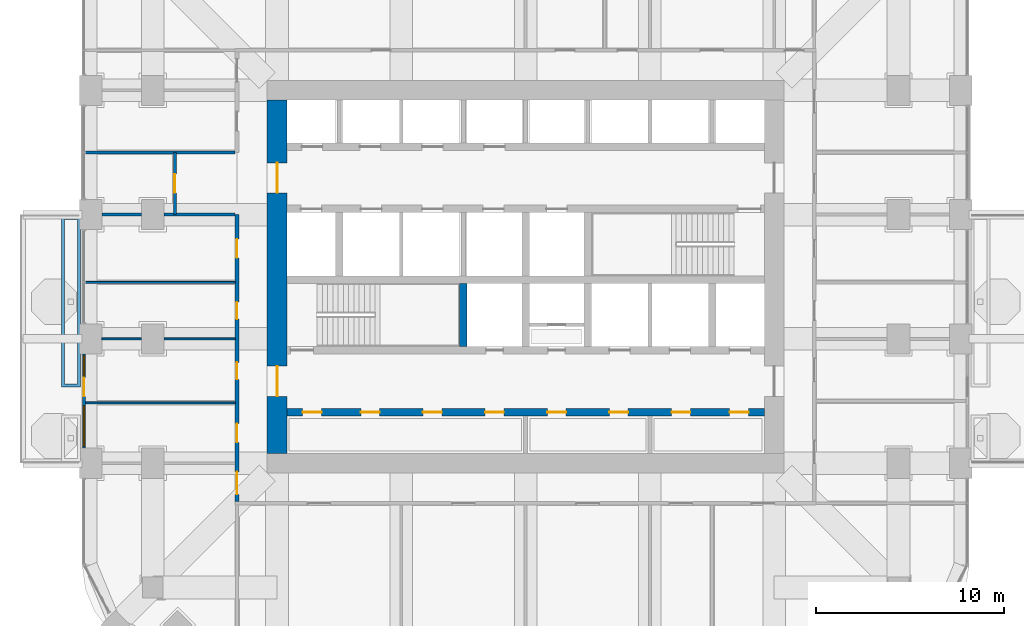
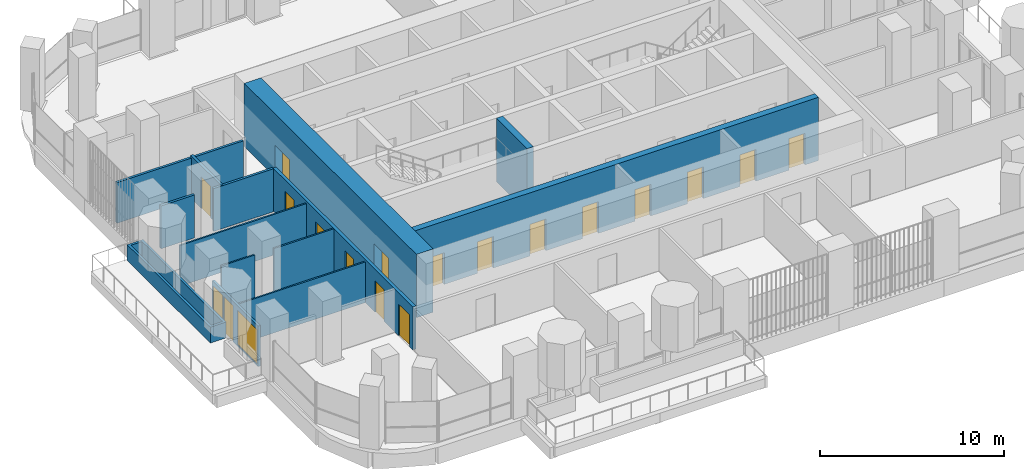
# One storey, part 12 of 20: 17 doors, 14 walls, 2 windows, 19 openings.
"""IFC4 building model written with IfcOpenShell, lengths in metres."""

from ifc_helpers import new_model, si_unit, direction, frame, frame_2d, origin, place, context, subcontext, project, spatial, polyline, rectangle, outline, extrude, material, layer, layer_set, type_object, element, fill, save


model = new_model("IFC4")

# Units and contexts
model_context = context("Model", 3, precision=1e-05, world=origin(), true_north=direction((0.0, 1.0)))
body_context = subcontext(model_context, "Body", "Model", "MODEL_VIEW")
ifc_project = project(units=[si_unit("LENGTHUNIT", "METRE"), si_unit("AREAUNIT", "SQUARE_METRE"), si_unit("VOLUMEUNIT", "CUBIC_METRE"), si_unit("PLANEANGLEUNIT", "RADIAN"), si_unit("MASSUNIT", "GRAM", prefix="KILO")], contexts=[model_context])

# Site, building, storey
site_placement = place(None, origin())
site = spatial("IfcSite", under=ifc_project, at=site_placement, CompositionType="ELEMENT")
building_placement = place(site_placement, origin())
building = spatial("IfcBuilding", under=site, at=building_placement, Name="Cobogo Forest Laboratory Tower", CompositionType="ELEMENT")
storey_placement = place(building_placement, frame((0.0, 0.0, 185.10009765625)))
storey = spatial("IfcBuildingStorey", under=building, at=storey_placement, Name="L42", CompositionType="ELEMENT", Elevation=185.10009765625)

# Wall, openings, doors
ifc_material_1 = material(Name="Concrete HA-50 (C50/60)", Category="concrete")
ifc_layer_1 = layer(ifc_material_1, 0.39990234375)
ifc_layer_set_1 = layer_set([ifc_layer_1], Name="CI400 core inner wall 400")
wall_type_1 = type_object("IfcWallType", Name="CI400 core inner wall 400", PredefinedType="SHEAR", material=ifc_layer_set_1)
wall_1_placement = place(storey_placement, frame((13.72509765625, 15.89990234375, 0.0), z_axis=(0.0, 0.0, 1.0), x_axis=(1.0, 0.0, 0.0)))
wall_1 = element("IfcWall", 1, at=wall_1_placement, inside=storey, type_object=wall_type_1, Name="Core wall CI-15.9 L42", PredefinedType="SHEAR", context=body_context, shape_type="SweptSolid", body=[
    extrude(rectangle(XDim=25.349853515625, YDim=0.39990234375, at=frame_2d((12.6748046875, 0.0))), origin(), (0.0, 0.0, 1.0), 4.199951171875),
])
opening_1_placement = place(wall_1_placement, frame((0.83740234375, 0.0, 0.0)))
opening_1 = element("IfcOpeningElement", 2, at=opening_1_placement, cuts=wall_1, Name="Opening L42-D10", PredefinedType="OPENING", context=body_context, shape_type="SweptSolid", body=[
    extrude(rectangle(XDim=1.0, YDim=2.10009765625, at=frame_2d((0.5, 1.050048828125))), frame((0.0, 0.2099609375, 0.0), z_axis=(0.0, -1.0, 0.0), x_axis=(1.0, 0.0, 0.0)), (0.0, 0.0, 1.0), 0.419921875),
])
opening_2_placement = place(wall_1_placement, frame((3.925048828125, 0.0, 0.0)))
opening_2 = element("IfcOpeningElement", 3, at=opening_2_placement, cuts=wall_1, Name="Opening L42-D11", PredefinedType="OPENING", context=body_context, shape_type="SweptSolid", body=[
    extrude(rectangle(XDim=1.0, YDim=2.10009765625, at=frame_2d((0.5, 1.050048828125))), frame((0.0, 0.2099609375, 0.0), z_axis=(0.0, -1.0, 0.0), x_axis=(1.0, 0.0, 0.0)), (0.0, 0.0, 1.0), 0.419921875),
])
opening_3_placement = place(wall_1_placement, frame((7.22509765625, 0.0, 0.0)))
opening_3 = element("IfcOpeningElement", 4, at=opening_3_placement, cuts=wall_1, Name="Opening L42-D12", PredefinedType="OPENING", context=body_context, shape_type="SweptSolid", body=[
    extrude(rectangle(XDim=1.0, YDim=2.10009765625, at=frame_2d((0.5, 1.050048828125))), frame((0.0, 0.2099609375, 0.0), z_axis=(0.0, -1.0, 0.0), x_axis=(1.0, 0.0, 0.0)), (0.0, 0.0, 1.0), 0.419921875),
])
opening_4_placement = place(wall_1_placement, frame((10.52490234375, 0.0, 0.0)))
opening_4 = element("IfcOpeningElement", 5, at=opening_4_placement, cuts=wall_1, Name="Opening L42-D13", PredefinedType="OPENING", context=body_context, shape_type="SweptSolid", body=[
    extrude(rectangle(XDim=1.0, YDim=2.10009765625, at=frame_2d((0.5, 1.050048828125))), frame((0.0, 0.2099609375, 0.0), z_axis=(0.0, -1.0, 0.0), x_axis=(1.0, 0.0, 0.0)), (0.0, 0.0, 1.0), 0.419921875),
])
opening_5_placement = place(wall_1_placement, frame((13.824951171875, 0.0, 0.0)))
opening_5 = element("IfcOpeningElement", 6, at=opening_5_placement, cuts=wall_1, Name="Opening L42-D14", PredefinedType="OPENING", context=body_context, shape_type="SweptSolid", body=[
    extrude(rectangle(XDim=1.0, YDim=2.10009765625, at=frame_2d((0.5, 1.050048828125))), frame((0.0, 0.2099609375, 0.0), z_axis=(0.0, -1.0, 0.0), x_axis=(1.0, 0.0, 0.0)), (0.0, 0.0, 1.0), 0.419921875),
])
opening_6_placement = place(wall_1_placement, frame((17.125, 0.0, 0.0)))
opening_6 = element("IfcOpeningElement", 7, at=opening_6_placement, cuts=wall_1, Name="Opening L42-D15", PredefinedType="OPENING", context=body_context, shape_type="SweptSolid", body=[
    extrude(rectangle(XDim=1.0, YDim=2.10009765625, at=frame_2d((0.5, 1.050048828125))), frame((0.0, 0.2099609375, 0.0), z_axis=(0.0, -1.0, 0.0), x_axis=(1.0, 0.0, 0.0)), (0.0, 0.0, 1.0), 0.419921875),
])
opening_7_placement = place(wall_1_placement, frame((20.425048828125, 0.0, 0.0)))
opening_7 = element("IfcOpeningElement", 8, at=opening_7_placement, cuts=wall_1, Name="Opening L42-D16", PredefinedType="OPENING", context=body_context, shape_type="SweptSolid", body=[
    extrude(rectangle(XDim=1.0, YDim=2.10009765625, at=frame_2d((0.5, 1.050048828125))), frame((0.0, 0.2099609375, 0.0), z_axis=(0.0, -1.0, 0.0), x_axis=(1.0, 0.0, 0.0)), (0.0, 0.0, 1.0), 0.419921875),
])
opening_8_placement = place(wall_1_placement, frame((23.512451171875, 0.0, 0.0)))
opening_8 = element("IfcOpeningElement", 9, at=opening_8_placement, cuts=wall_1, Name="Opening L42-D17", PredefinedType="OPENING", context=body_context, shape_type="SweptSolid", body=[
    extrude(rectangle(XDim=1.0, YDim=2.10009765625, at=frame_2d((0.5, 1.050048828125))), frame((0.0, 0.2099609375, 0.0), z_axis=(0.0, -1.0, 0.0), x_axis=(1.0, 0.0, 0.0)), (0.0, 0.0, 1.0), 0.419921875),
])
ifc_material_2 = material(Name="Steel fire door", Category="steel")
door_type_1 = type_object("IfcDoorType", Name="FD1 fire door 1000 EI2 60", OperationType="SINGLE_SWING_LEFT", PredefinedType="DOOR", material=ifc_material_2)
door_1_placement = place(opening_1_placement, origin())
door_1 = element("IfcDoor", 10, at=door_1_placement, inside=storey, type_object=door_type_1, Name="Door L42-SH-LA1", OperationType="SINGLE_SWING_LEFT", OverallHeight=2.10009765625, OverallWidth=1.0, PredefinedType="DOOR", context=body_context, shape_type="SweptSolid", body=[
    extrude(rectangle(XDim=1.0, YDim=2.10009765625, at=frame_2d((0.5, 1.050048828125))), frame((0.0, 0.02490234375, 0.0), z_axis=(0.0, -1.0, 0.0), x_axis=(1.0, 0.0, 0.0)), (0.0, 0.0, 1.0), 0.050048828125),
])
fill(opening_1, door_1)
door_2_placement = place(opening_2_placement, origin())
door_2 = element("IfcDoor", 11, at=door_2_placement, inside=storey, type_object=door_type_1, Name="Door L42-SH-LA2", OperationType="SINGLE_SWING_LEFT", OverallHeight=2.10009765625, OverallWidth=1.0, PredefinedType="DOOR", context=body_context, shape_type="SweptSolid", body=[
    extrude(rectangle(XDim=1.0, YDim=2.10009765625, at=frame_2d((0.5, 1.050048828125))), frame((0.0, 0.02490234375, 0.0), z_axis=(0.0, -1.0, 0.0), x_axis=(1.0, 0.0, 0.0)), (0.0, 0.0, 1.0), 0.050048828125),
])
fill(opening_2, door_2)
door_3_placement = place(opening_3_placement, origin())
door_3 = element("IfcDoor", 12, at=door_3_placement, inside=storey, type_object=door_type_1, Name="Door L42-SH-LA3", OperationType="SINGLE_SWING_LEFT", OverallHeight=2.10009765625, OverallWidth=1.0, PredefinedType="DOOR", context=body_context, shape_type="SweptSolid", body=[
    extrude(rectangle(XDim=1.0, YDim=2.10009765625, at=frame_2d((0.5, 1.050048828125))), frame((0.0, 0.02490234375, 0.0), z_axis=(0.0, -1.0, 0.0), x_axis=(1.0, 0.0, 0.0)), (0.0, 0.0, 1.0), 0.050048828125),
])
fill(opening_3, door_3)
door_4_placement = place(opening_4_placement, origin())
door_4 = element("IfcDoor", 13, at=door_4_placement, inside=storey, type_object=door_type_1, Name="Door L42-SH-LA4", OperationType="SINGLE_SWING_LEFT", OverallHeight=2.10009765625, OverallWidth=1.0, PredefinedType="DOOR", context=body_context, shape_type="SweptSolid", body=[
    extrude(rectangle(XDim=1.0, YDim=2.10009765625, at=frame_2d((0.5, 1.050048828125))), frame((0.0, 0.02490234375, 0.0), z_axis=(0.0, -1.0, 0.0), x_axis=(1.0, 0.0, 0.0)), (0.0, 0.0, 1.0), 0.050048828125),
])
fill(opening_4, door_4)
door_5_placement = place(opening_5_placement, origin())
door_5 = element("IfcDoor", 14, at=door_5_placement, inside=storey, type_object=door_type_1, Name="Door L42-SH-LB1", OperationType="SINGLE_SWING_RIGHT", OverallHeight=2.10009765625, OverallWidth=1.0, PredefinedType="DOOR", context=body_context, shape_type="SweptSolid", body=[
    extrude(rectangle(XDim=1.0, YDim=2.10009765625, at=frame_2d((0.5, 1.050048828125))), frame((0.0, 0.02490234375, 0.0), z_axis=(0.0, -1.0, 0.0), x_axis=(1.0, 0.0, 0.0)), (0.0, 0.0, 1.0), 0.050048828125),
])
fill(opening_5, door_5)
door_6_placement = place(opening_6_placement, origin())
door_6 = element("IfcDoor", 15, at=door_6_placement, inside=storey, type_object=door_type_1, Name="Door L42-SH-LB2", OperationType="SINGLE_SWING_RIGHT", OverallHeight=2.10009765625, OverallWidth=1.0, PredefinedType="DOOR", context=body_context, shape_type="SweptSolid", body=[
    extrude(rectangle(XDim=1.0, YDim=2.10009765625, at=frame_2d((0.5, 1.050048828125))), frame((0.0, 0.02490234375, 0.0), z_axis=(0.0, -1.0, 0.0), x_axis=(1.0, 0.0, 0.0)), (0.0, 0.0, 1.0), 0.050048828125),
])
fill(opening_6, door_6)
door_7_placement = place(opening_7_placement, origin())
door_7 = element("IfcDoor", 16, at=door_7_placement, inside=storey, type_object=door_type_1, Name="Door L42-SH-LB3", OperationType="SINGLE_SWING_RIGHT", OverallHeight=2.10009765625, OverallWidth=1.0, PredefinedType="DOOR", context=body_context, shape_type="SweptSolid", body=[
    extrude(rectangle(XDim=1.0, YDim=2.10009765625, at=frame_2d((0.5, 1.050048828125))), frame((0.0, 0.02490234375, 0.0), z_axis=(0.0, -1.0, 0.0), x_axis=(1.0, 0.0, 0.0)), (0.0, 0.0, 1.0), 0.050048828125),
])
fill(opening_7, door_7)
door_8_placement = place(opening_8_placement, origin())
door_8 = element("IfcDoor", 17, at=door_8_placement, inside=storey, type_object=door_type_1, Name="Door L42-SH-LB4", OperationType="SINGLE_SWING_RIGHT", OverallHeight=2.10009765625, OverallWidth=1.0, PredefinedType="DOOR", context=body_context, shape_type="SweptSolid", body=[
    extrude(rectangle(XDim=1.0, YDim=2.10009765625, at=frame_2d((0.5, 1.050048828125))), frame((0.0, 0.02490234375, 0.0), z_axis=(0.0, -1.0, 0.0), x_axis=(1.0, 0.0, 0.0)), (0.0, 0.0, 1.0), 0.050048828125),
])
fill(opening_8, door_8)

# Wall
wall_2_placement = place(storey_placement, frame((23.10009765625, 19.39990234375, 0.0), z_axis=(0.0, 0.0, 1.0), x_axis=(0.0, 1.0, 0.0)))
element("IfcWall", 18, at=wall_2_placement, inside=storey, type_object=wall_type_1, Name="Core wall CX-23.1 L42", PredefinedType="SHEAR", context=body_context, shape_type="SweptSolid", body=[
    extrude(rectangle(XDim=3.35009765625, YDim=0.39990234375, at=frame_2d((1.675048828125, 0.0))), origin(), (0.0, 0.0, 1.0), 4.199951171875),
])

# Wall, openings, doors
ifc_layer_2 = layer(ifc_material_1, 1.050048828125)
ifc_layer_set_2 = layer_set([ifc_layer_2], Name="CW1050 core outer wall 1050")
wall_type_2 = type_object("IfcWallType", Name="CW1050 core outer wall 1050", PredefinedType="SHEAR", material=ifc_layer_set_2)
wall_3_placement = place(storey_placement, frame((13.199951171875, 32.47509765625, 0.0), z_axis=(0.0, 0.0, 1.0), x_axis=(0.0, -1.0, 0.0)))
wall_3 = element("IfcWall", 19, at=wall_3_placement, inside=storey, type_object=wall_type_2, Name="Core wall CO-W L42", PredefinedType="SHEAR", context=body_context, shape_type="SweptSolid", body=[
    extrude(rectangle(XDim=18.75, YDim=1.050048828125, at=frame_2d((9.375, 0.0))), origin(), (0.0, 0.0, 1.0), 4.199951171875),
])
opening_9_placement = place(wall_3_placement, frame((14.125, 0.0, 0.0)))
opening_9 = element("IfcOpeningElement", 20, at=opening_9_placement, cuts=wall_3, Name="Opening L42-D20", PredefinedType="OPENING", context=body_context, shape_type="SweptSolid", body=[
    extrude(rectangle(XDim=1.60009765625, YDim=2.10009765625, at=frame_2d((0.800048828125, 1.050048828125))), frame((0.0, 0.534912109375, 0.0), z_axis=(0.0, -1.0, 0.0), x_axis=(1.0, 0.0, 0.0)), (0.0, 0.0, 1.0), 1.070068359375),
])
opening_10_placement = place(wall_3_placement, frame((3.324951171875, 0.0, 0.0)))
opening_10 = element("IfcOpeningElement", 21, at=opening_10_placement, cuts=wall_3, Name="Opening L42-D35", PredefinedType="OPENING", context=body_context, shape_type="SweptSolid", body=[
    extrude(rectangle(XDim=1.60009765625, YDim=2.10009765625, at=frame_2d((0.800048828125, 1.050048828125))), frame((0.0, 0.534912109375, 0.0), z_axis=(0.0, -1.0, 0.0), x_axis=(1.0, 0.0, 0.0)), (0.0, 0.0, 1.0), 1.070068359375),
])
door_type_2 = type_object("IfcDoorType", Name="DS2 protected lobby door pair 1600 EI2 60", OperationType="DOUBLE_DOOR_DOUBLE_SWING", PredefinedType="DOOR", material=ifc_material_2)
door_9_placement = place(opening_9_placement, origin())
door_9 = element("IfcDoor", 22, at=door_9_placement, inside=storey, type_object=door_type_2, Name="Door L42-CO-W-S", OperationType="DOUBLE_DOOR_DOUBLE_SWING", OverallHeight=2.10009765625, OverallWidth=1.60009765625, PredefinedType="DOOR", context=body_context, shape_type="SweptSolid", body=[
    extrude(rectangle(XDim=1.60009765625, YDim=2.10009765625, at=frame_2d((0.800048828125, 1.050048828125))), frame((0.0, 0.02490234375, 0.0), z_axis=(0.0, -1.0, 0.0), x_axis=(1.0, 0.0, 0.0)), (0.0, 0.0, 1.0), 0.050048828125),
])
fill(opening_9, door_9)
door_10_placement = place(opening_10_placement, origin())
door_10 = element("IfcDoor", 23, at=door_10_placement, inside=storey, type_object=door_type_2, Name="Door L42-CO-W-N", OperationType="DOUBLE_DOOR_DOUBLE_SWING", OverallHeight=2.10009765625, OverallWidth=1.60009765625, PredefinedType="DOOR", context=body_context, shape_type="SweptSolid", body=[
    extrude(rectangle(XDim=1.60009765625, YDim=2.10009765625, at=frame_2d((0.800048828125, 1.050048828125))), frame((0.0, 0.02490234375, 0.0), z_axis=(0.0, -1.0, 0.0), x_axis=(1.0, 0.0, 0.0)), (0.0, 0.0, 1.0), 0.050048828125),
])
fill(opening_10, door_10)

# Wall, openings, door, windows
ifc_material_3 = material(Name="Aluminium framed glazed screen", Category="aluminium")
ifc_layer_3 = layer(ifc_material_3, 0.14990234375)
ifc_layer_set_3 = layer_set([ifc_layer_3], Name="GS1 glazed door screen 150")
wall_type_3 = type_object("IfcWallType", Name="GS1 glazed door screen 150", PredefinedType="SOLIDWALL", material=ifc_layer_set_3)
wall_4_placement = place(storey_placement, frame((2.949951171875, 19.0, 0.0), z_axis=(0.0, 0.0, 1.0), x_axis=(0.0, -1.0, 0.0)))
wall_4 = element("IfcWall", 24, at=wall_4_placement, inside=storey, type_object=wall_type_3, Name="Door screen BAL-W1 L42", PredefinedType="SOLIDWALL", context=body_context, shape_type="SweptSolid", body=[
    extrude(rectangle(XDim=5.0, YDim=0.14990234375, at=frame_2d((2.5, 0.0))), origin(), (0.0, 0.0, 1.0), 2.699951171875),
])
opening_11_placement = place(wall_4_placement, frame((1.25, 0.0, 0.0)))
opening_11 = element("IfcOpeningElement", 25, at=opening_11_placement, cuts=wall_4, Name="Opening L42-D18", PredefinedType="OPENING", context=body_context, shape_type="SweptSolid", body=[
    extrude(rectangle(XDim=1.0, YDim=2.39990234375, at=frame_2d((0.5, 1.199951171875))), frame((0.0, 0.0849609375, 0.0), z_axis=(0.0, -1.0, 0.0), x_axis=(1.0, 0.0, 0.0)), (0.0, 0.0, 1.0), 0.169921875),
])
opening_12_placement = place(wall_4_placement, frame((0.10009765625, 0.0, 0.10009765625)))
opening_12 = element("IfcOpeningElement", 26, at=opening_12_placement, cuts=wall_4, Name="Opening L42-W05", PredefinedType="OPENING", context=body_context, shape_type="SweptSolid", body=[
    extrude(rectangle(XDim=1.050048828125, YDim=2.300048828125, at=frame_2d((0.52490234375, 1.14990234375))), frame((0.0, 0.0849609375, 0.0), z_axis=(0.0, -1.0, 0.0), x_axis=(1.0, 0.0, 0.0)), (0.0, 0.0, 1.0), 0.169921875),
])
opening_13_placement = place(wall_4_placement, frame((2.75, 0.0, 0.10009765625)))
opening_13 = element("IfcOpeningElement", 27, at=opening_13_placement, cuts=wall_4, Name="Opening L42-W03", PredefinedType="OPENING", context=body_context, shape_type="SweptSolid", body=[
    extrude(rectangle(XDim=2.14990234375, YDim=2.300048828125, at=frame_2d((1.074951171875, 1.14990234375))), frame((0.0, 0.0849609375, 0.0), z_axis=(0.0, -1.0, 0.0), x_axis=(1.0, 0.0, 0.0)), (0.0, 0.0, 1.0), 0.169921875),
])
ifc_material_4 = material(Name="Aluminium glazed door", Category="aluminium")
door_type_3 = type_object("IfcDoorType", Name="DB1 balcony door 1000 glazed", OperationType="SINGLE_SWING_LEFT", PredefinedType="DOOR", material=ifc_material_4)
door_11_placement = place(opening_11_placement, origin())
door_11 = element("IfcDoor", 28, at=door_11_placement, inside=storey, type_object=door_type_3, Name="Door L42-BAL-W1", OperationType="SINGLE_SWING_LEFT", OverallHeight=2.39990234375, OverallWidth=1.0, PredefinedType="DOOR", context=body_context, shape_type="SweptSolid", body=[
    extrude(rectangle(XDim=1.0, YDim=2.39990234375, at=frame_2d((0.5, 1.199951171875))), frame((0.0, 0.02490234375, 0.0), z_axis=(0.0, -1.0, 0.0), x_axis=(1.0, 0.0, 0.0)), (0.0, 0.0, 1.0), 0.050048828125),
])
fill(opening_11, door_11)
ifc_material_5 = material(Name="Aluminium framed glazing", Category="aluminium")
window_type_1 = type_object("IfcWindowType", Name="WG13 fixed glazed light 2150x2300", PartitioningType="SINGLE_PANEL", PredefinedType="WINDOW", material=ifc_material_5)
window_1_placement = place(opening_13_placement, origin())
window_1 = element("IfcWindow", 29, at=window_1_placement, inside=storey, type_object=window_type_1, Name="Window L42-BAL-W1-2", OverallHeight=2.300048828125, OverallWidth=2.14990234375, PartitioningType="SINGLE_PANEL", PredefinedType="WINDOW", context=body_context, shape_type="SweptSolid", body=[
    extrude(rectangle(XDim=2.14990234375, YDim=2.300048828125, at=frame_2d((1.074951171875, 1.14990234375))), frame((0.0, 0.030029296875, 0.0), z_axis=(0.0, -1.0, 0.0), x_axis=(1.0, 0.0, 0.0)), (0.0, 0.0, 1.0), 0.06005859375),
])
fill(opening_13, window_1)
window_type_2 = type_object("IfcWindowType", Name="WG14 fixed glazed light 1050x2300", PartitioningType="SINGLE_PANEL", PredefinedType="WINDOW", material=ifc_material_5)
window_2_placement = place(opening_12_placement, origin())
window_2 = element("IfcWindow", 30, at=window_2_placement, inside=storey, type_object=window_type_2, Name="Window L42-BAL-W1-1", OverallHeight=2.300048828125, OverallWidth=1.050048828125, PartitioningType="SINGLE_PANEL", PredefinedType="WINDOW", context=body_context, shape_type="SweptSolid", body=[
    extrude(rectangle(XDim=1.050048828125, YDim=2.300048828125, at=frame_2d((0.52490234375, 1.14990234375))), frame((0.0, 0.030029296875, 0.0), z_axis=(0.0, -1.0, 0.0), x_axis=(1.0, 0.0, 0.0)), (0.0, 0.0, 1.0), 0.06005859375),
])
fill(opening_12, window_2)

# Wall, opening, door
ifc_material_6 = material(Name="Gypsum board on steel studs", Category="steel")
ifc_layer_4 = layer(ifc_material_6, 0.14990234375)
ifc_layer_set_4 = layer_set([ifc_layer_4], Name="PT1 laboratory partition 150")
wall_type_4 = type_object("IfcWallType", Name="PT1 laboratory partition 150", PredefinedType="PARTITIONING", material=ifc_layer_set_4)
wall_5_placement = place(storey_placement, frame((7.77490234375, 26.39990234375, 0.0), z_axis=(0.0, 0.0, 1.0), x_axis=(0.0, 1.0, 0.0)))
wall_5 = element("IfcWall", 31, at=wall_5_placement, inside=storey, type_object=wall_type_4, Name="Partition NODE-W-1 L42", PredefinedType="PARTITIONING", context=body_context, shape_type="SweptSolid", body=[
    extrude(rectangle(XDim=3.300048828125, YDim=0.14990234375, at=frame_2d((1.64990234375, 0.0))), origin(), (0.0, 0.0, 1.0), 2.849853515625),
])
opening_14_placement = place(wall_5_placement, frame((1.14990234375, 0.0, 0.0)))
opening_14 = element("IfcOpeningElement", 32, at=opening_14_placement, cuts=wall_5, Name="Opening L42-D33", PredefinedType="OPENING", context=body_context, shape_type="SweptSolid", body=[
    extrude(rectangle(XDim=1.0, YDim=2.10009765625, at=frame_2d((0.5, 1.050048828125))), frame((0.0, 0.0849609375, 0.0), z_axis=(0.0, -1.0, 0.0), x_axis=(1.0, 0.0, 0.0)), (0.0, 0.0, 1.0), 0.169921875),
])
ifc_material_7 = material(Name="Timber fire door", Category="wood")
door_type_4 = type_object("IfcDoorType", Name="FD2 fire door 1000 EI2 30", OperationType="SINGLE_SWING_LEFT", PredefinedType="DOOR", material=ifc_material_7)
door_12_placement = place(opening_14_placement, origin())
door_12 = element("IfcDoor", 33, at=door_12_placement, inside=storey, type_object=door_type_4, Name="Door L42-W3", OperationType="SINGLE_SWING_RIGHT", OverallHeight=2.10009765625, OverallWidth=1.0, PredefinedType="DOOR", context=body_context, shape_type="SweptSolid", body=[
    extrude(rectangle(XDim=1.0, YDim=2.10009765625, at=frame_2d((0.5, 1.050048828125))), frame((0.0, 0.02490234375, 0.0), z_axis=(0.0, -1.0, 0.0), x_axis=(1.0, 0.0, 0.0)), (0.0, 0.0, 1.0), 0.050048828125),
])
fill(opening_14, door_12)

# Walls
wall_6_placement = place(storey_placement, frame((3.89990234375, 26.39990234375, 0.0), z_axis=(0.0, 0.0, 1.0), x_axis=(1.0, 0.0, 0.0)))
element("IfcWall", 34, at=wall_6_placement, inside=storey, type_object=wall_type_4, Name="Partition CUT-W26.4-1 L42", PredefinedType="PARTITIONING", context=body_context, shape_type="SweptSolid", body=[
    extrude(rectangle(XDim=2.10009765625, YDim=0.14990234375, at=frame_2d((1.050048828125, 0.0))), origin(), (0.0, 0.0, 1.0), 2.849853515625),
])
wall_7_placement = place(storey_placement, frame((7.199951171875, 26.39990234375, 0.0), z_axis=(0.0, 0.0, 1.0), x_axis=(1.0, 0.0, 0.0)))
element("IfcWall", 35, at=wall_7_placement, inside=storey, type_object=wall_type_4, Name="Partition CUT-W26.4-2 L42", PredefinedType="PARTITIONING", context=body_context, shape_type="SweptSolid", body=[
    extrude(rectangle(XDim=3.775146484375, YDim=0.14990234375, at=frame_2d((1.8876953125, 0.0))), origin(), (0.0, 0.0, 1.0), 2.849853515625),
])
wall_8_placement = place(storey_placement, frame((3.030029296875, 29.699951171875, 0.0), z_axis=(0.0, 0.0, 1.0), x_axis=(1.0, 0.0, 0.0)))
element("IfcWall", 36, at=wall_8_placement, inside=storey, type_object=wall_type_4, Name="Partition CUT-W29.7-1 L42", PredefinedType="PARTITIONING", context=body_context, shape_type="SweptSolid", body=[
    extrude(rectangle(XDim=7.945068359375, YDim=0.14990234375, at=frame_2d((3.97265625, 0.0))), origin(), (0.0, 0.0, 1.0), 2.699951171875),
])

# Wall, openings, doors
ifc_layer_5 = layer(ifc_material_6, 0.199951171875)
ifc_layer_set_5 = layer_set([ifc_layer_5], Name="PT2 fire-rated corridor partition 200")
wall_type_5 = type_object("IfcWallType", Name="PT2 fire-rated corridor partition 200", PredefinedType="PARTITIONING", material=ifc_layer_set_5)
wall_9_placement = place(storey_placement, frame((11.074951171875, 11.175048828125, 0.0), z_axis=(0.0, 0.0, 1.0), x_axis=(0.0, 1.0, 0.0)))
wall_9 = element("IfcWall", 37, at=wall_9_placement, inside=storey, type_object=wall_type_5, Name="Partition CORR-W-1 L42", PredefinedType="PARTITIONING", context=body_context, shape_type="SweptSolid", body=[
    extrude(rectangle(XDim=15.224853515625, YDim=0.199951171875, at=frame_2d((7.6123046875, 0.0))), origin(), (0.0, 0.0, 1.0), 2.849853515625),
])
opening_15_placement = place(wall_9_placement, frame((0.362548828125, 0.0, 0.0)))
opening_15 = element("IfcOpeningElement", 38, at=opening_15_placement, cuts=wall_9, Name="Opening L42-D07", PredefinedType="OPENING", context=body_context, shape_type="SweptSolid", body=[
    extrude(rectangle(XDim=1.199951171875, YDim=2.10009765625, at=frame_2d((0.60009765625, 1.050048828125))), frame((0.0, 0.10986328125, 0.0), z_axis=(0.0, -1.0, 0.0), x_axis=(1.0, 0.0, 0.0)), (0.0, 0.0, 1.0), 0.219970703125),
])
opening_16_placement = place(wall_9_placement, frame((3.125, 0.0, 0.0)))
opening_16 = element("IfcOpeningElement", 39, at=opening_16_placement, cuts=wall_9, Name="Opening L42-D09", PredefinedType="OPENING", context=body_context, shape_type="SweptSolid", body=[
    extrude(rectangle(XDim=1.0, YDim=2.10009765625, at=frame_2d((0.5, 1.050048828125))), frame((0.0, 0.10986328125, 0.0), z_axis=(0.0, -1.0, 0.0), x_axis=(1.0, 0.0, 0.0)), (0.0, 0.0, 1.0), 0.219970703125),
])
opening_17_placement = place(wall_9_placement, frame((6.47509765625, 0.0, 0.0)))
opening_17 = element("IfcOpeningElement", 40, at=opening_17_placement, cuts=wall_9, Name="Opening L42-D22", PredefinedType="OPENING", context=body_context, shape_type="SweptSolid", body=[
    extrude(rectangle(XDim=0.89990234375, YDim=2.10009765625, at=frame_2d((0.449951171875, 1.050048828125))), frame((0.0, 0.10986328125, 0.0), z_axis=(0.0, -1.0, 0.0), x_axis=(1.0, 0.0, 0.0)), (0.0, 0.0, 1.0), 0.219970703125),
])
opening_18_placement = place(wall_9_placement, frame((9.675048828125, 0.0, 0.0)))
opening_18 = element("IfcOpeningElement", 41, at=opening_18_placement, cuts=wall_9, Name="Opening L42-D28", PredefinedType="OPENING", context=body_context, shape_type="SweptSolid", body=[
    extrude(rectangle(XDim=0.89990234375, YDim=2.10009765625, at=frame_2d((0.449951171875, 1.050048828125))), frame((0.0, 0.10986328125, 0.0), z_axis=(0.0, -1.0, 0.0), x_axis=(1.0, 0.0, 0.0)), (0.0, 0.0, 1.0), 0.219970703125),
])
opening_19_placement = place(wall_9_placement, frame((12.925048828125, 0.0, 0.0)))
opening_19 = element("IfcOpeningElement", 42, at=opening_19_placement, cuts=wall_9, Name="Opening L42-D30", PredefinedType="OPENING", context=body_context, shape_type="SweptSolid", body=[
    extrude(rectangle(XDim=1.0, YDim=2.10009765625, at=frame_2d((0.5, 1.050048828125))), frame((0.0, 0.10986328125, 0.0), z_axis=(0.0, -1.0, 0.0), x_axis=(1.0, 0.0, 0.0)), (0.0, 0.0, 1.0), 0.219970703125),
])
ifc_material_8 = material(Name="Timber door", Category="wood")
door_type_5 = type_object("IfcDoorType", Name="D2 laboratory door 1200 unequal pair", OperationType="DOUBLE_DOOR_SINGLE_SWING", PredefinedType="DOOR", material=ifc_material_8)
door_13_placement = place(opening_15_placement, origin())
door_13 = element("IfcDoor", 43, at=door_13_placement, inside=storey, type_object=door_type_5, Name="Door L42-W1", OperationType="DOUBLE_DOOR_SINGLE_SWING", OverallHeight=2.10009765625, OverallWidth=1.199951171875, PredefinedType="DOOR", context=body_context, shape_type="SweptSolid", body=[
    extrude(rectangle(XDim=1.199951171875, YDim=2.10009765625, at=frame_2d((0.60009765625, 1.050048828125))), frame((0.0, 0.02490234375, 0.0), z_axis=(0.0, -1.0, 0.0), x_axis=(1.0, 0.0, 0.0)), (0.0, 0.0, 1.0), 0.050048828125),
])
fill(opening_15, door_13)
door_14_placement = place(opening_19_placement, origin())
door_14 = element("IfcDoor", 44, at=door_14_placement, inside=storey, type_object=door_type_4, Name="Door L42-SHW", OperationType="SINGLE_SWING_RIGHT", OverallHeight=2.10009765625, OverallWidth=1.0, PredefinedType="DOOR", context=body_context, shape_type="SweptSolid", body=[
    extrude(rectangle(XDim=1.0, YDim=2.10009765625, at=frame_2d((0.5, 1.050048828125))), frame((0.0, 0.02490234375, 0.0), z_axis=(0.0, -1.0, 0.0), x_axis=(1.0, 0.0, 0.0)), (0.0, 0.0, 1.0), 0.050048828125),
])
fill(opening_19, door_14)
door_type_6 = type_object("IfcDoorType", Name="FD3 toilet fire door 900 EI2 30", OperationType="SINGLE_SWING_LEFT", PredefinedType="DOOR", material=ifc_material_7)
door_15_placement = place(opening_17_placement, origin())
door_15 = element("IfcDoor", 45, at=door_15_placement, inside=storey, type_object=door_type_6, Name="Door L42-WCF", OperationType="SINGLE_SWING_LEFT", OverallHeight=2.10009765625, OverallWidth=0.89990234375, PredefinedType="DOOR", context=body_context, shape_type="SweptSolid", body=[
    extrude(rectangle(XDim=0.89990234375, YDim=2.10009765625, at=frame_2d((0.449951171875, 1.050048828125))), frame((0.0, 0.02490234375, 0.0), z_axis=(0.0, -1.0, 0.0), x_axis=(1.0, 0.0, 0.0)), (0.0, 0.0, 1.0), 0.050048828125),
])
fill(opening_17, door_15)
door_16_placement = place(opening_18_placement, origin())
door_16 = element("IfcDoor", 46, at=door_16_placement, inside=storey, type_object=door_type_6, Name="Door L42-WCM", OperationType="SINGLE_SWING_RIGHT", OverallHeight=2.10009765625, OverallWidth=0.89990234375, PredefinedType="DOOR", context=body_context, shape_type="SweptSolid", body=[
    extrude(rectangle(XDim=0.89990234375, YDim=2.10009765625, at=frame_2d((0.449951171875, 1.050048828125))), frame((0.0, 0.02490234375, 0.0), z_axis=(0.0, -1.0, 0.0), x_axis=(1.0, 0.0, 0.0)), (0.0, 0.0, 1.0), 0.050048828125),
])
fill(opening_18, door_16)
door_type_7 = type_object("IfcDoorType", Name="FDA1 accessible toilet fire door 1000 EI2 30", OperationType="SINGLE_SWING_RIGHT", PredefinedType="DOOR", material=ifc_material_7)
door_17_placement = place(opening_16_placement, origin())
door_17 = element("IfcDoor", 47, at=door_17_placement, inside=storey, type_object=door_type_7, Name="Door L42-WCA", OperationType="SINGLE_SWING_LEFT", OverallHeight=2.10009765625, OverallWidth=1.0, PredefinedType="DOOR", context=body_context, shape_type="SweptSolid", body=[
    extrude(rectangle(XDim=1.0, YDim=2.10009765625, at=frame_2d((0.5, 1.050048828125))), frame((0.0, 0.02490234375, 0.0), z_axis=(0.0, -1.0, 0.0), x_axis=(1.0, 0.0, 0.0)), (0.0, 0.0, 1.0), 0.050048828125),
])
fill(opening_16, door_17)

# Walls
ifc_layer_6 = layer(ifc_material_6, 0.10009765625)
ifc_layer_set_6 = layer_set([ifc_layer_6], Name="PT3 toilet partition 100")
wall_type_6 = type_object("IfcWallType", Name="PT3 toilet partition 100", PredefinedType="PARTITIONING", material=ifc_layer_set_6)
wall_10_placement = place(storey_placement, frame((3.030029296875, 16.39990234375, 0.0), z_axis=(0.0, 0.0, 1.0), x_axis=(1.0, 0.0, 0.0)))
element("IfcWall", 48, at=wall_10_placement, inside=storey, type_object=wall_type_6, Name="Partition SVC-W1-1 L42", PredefinedType="PARTITIONING", context=body_context, shape_type="SweptSolid", body=[
    extrude(rectangle(XDim=7.945068359375, YDim=0.10009765625, at=frame_2d((3.97265625, 0.0))), origin(), (0.0, 0.0, 1.0), 2.699951171875),
])
wall_11_placement = place(storey_placement, frame((3.89990234375, 19.800048828125, 0.0), z_axis=(0.0, 0.0, 1.0), x_axis=(1.0, 0.0, 0.0)))
element("IfcWall", 49, at=wall_11_placement, inside=storey, type_object=wall_type_6, Name="Partition SVC-W2-1 L42", PredefinedType="PARTITIONING", context=body_context, shape_type="SweptSolid", body=[
    extrude(rectangle(XDim=2.10009765625, YDim=0.10009765625, at=frame_2d((1.050048828125, 0.0))), origin(), (0.0, 0.0, 1.0), 2.849853515625),
])
wall_12_placement = place(storey_placement, frame((7.199951171875, 19.800048828125, 0.0), z_axis=(0.0, 0.0, 1.0), x_axis=(1.0, 0.0, 0.0)))
element("IfcWall", 50, at=wall_12_placement, inside=storey, type_object=wall_type_6, Name="Partition SVC-W2-2 L42", PredefinedType="PARTITIONING", context=body_context, shape_type="SweptSolid", body=[
    extrude(rectangle(XDim=3.775146484375, YDim=0.10009765625, at=frame_2d((1.8876953125, 0.0))), origin(), (0.0, 0.0, 1.0), 2.849853515625),
])
wall_13_placement = place(storey_placement, frame((3.030029296875, 22.800048828125, 0.0), z_axis=(0.0, 0.0, 1.0), x_axis=(1.0, 0.0, 0.0)))
element("IfcWall", 51, at=wall_13_placement, inside=storey, type_object=wall_type_6, Name="Partition SVC-W3-1 L42", PredefinedType="PARTITIONING", context=body_context, shape_type="SweptSolid", body=[
    extrude(rectangle(XDim=7.945068359375, YDim=0.10009765625, at=frame_2d((3.97265625, 0.0))), origin(), (0.0, 0.0, 1.0), 2.699951171875),
])
ifc_material_9 = material(Name="Concrete HA-40 (C40/50)", Category="concrete")
ifc_layer_7 = layer(ifc_material_9, 0.14990234375)
ifc_layer_set_7 = layer_set([ifc_layer_7], Name="Planter box 1000x1050")
wall_type_7 = type_object("IfcWallType", Name="Planter box 1000x1050", PredefinedType="USERDEFINED", material=ifc_layer_set_7)
wall_14_placement = place(storey_placement, origin())
element("IfcWall", 52, at=wall_14_placement, inside=storey, type_object=wall_type_7, Name="Planter BAL-W1-2 L42", ObjectType="PLANTER", PredefinedType="USERDEFINED", context=body_context, shape_type="SweptSolid", body=[
    extrude(outline(polyline([(1.75, 17.25), (2.75, 17.25), (2.75, 26.300048828125), (1.75, 26.300048828125), (1.75, 17.25)]), holes=[polyline([(1.89990234375, 17.39990234375), (2.60009765625, 17.39990234375), (2.60009765625, 26.14990234375), (1.89990234375, 26.14990234375), (1.89990234375, 17.39990234375)])]), origin(), (0.0, 0.0, 1.0), 1.0498046875),
])

save(model, "model.ifc")
